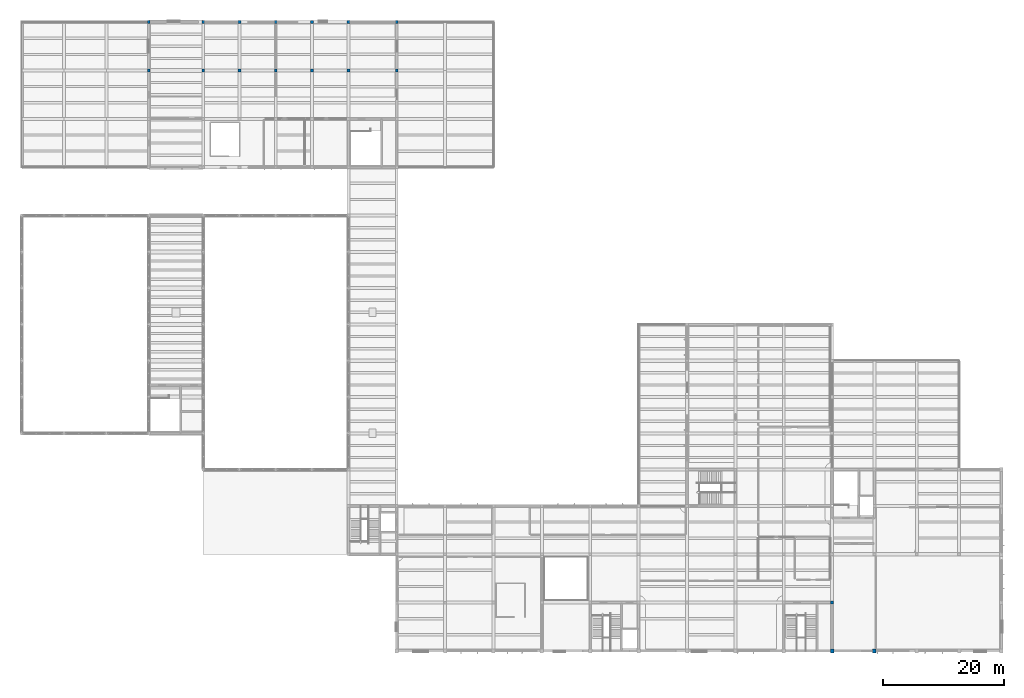
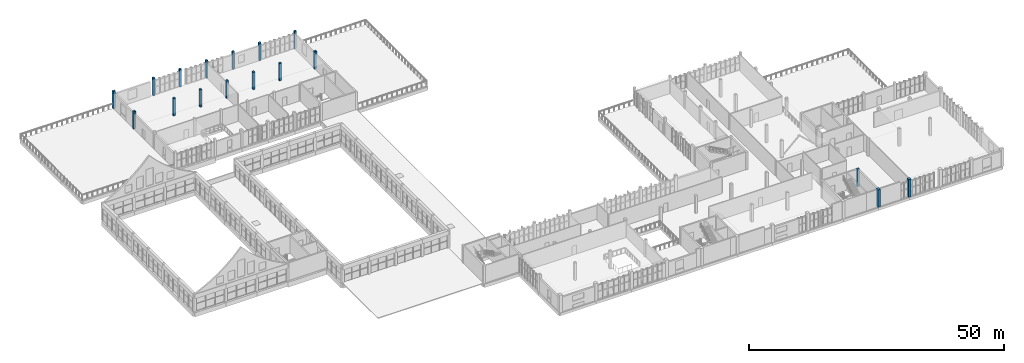
# One storey, part 2 of 70: 17 columns.
"""IFC4 building model written with IfcOpenShell, lengths in metres."""

from ifc_helpers import new_model, si_unit, direction, frame, origin, origin_2d, place, context, subcontext, project, spatial, rectangle, extrude, material, material_profile, profile_set, type_object, element, save


model = new_model("IFC4")

# Units and contexts
model_context = context("Model", 3, precision=1e-05, world=origin(), true_north=direction((0.0, 1.0)))
body_context = subcontext(model_context, "Body", "Model", "MODEL_VIEW")
ifc_project = project(units=[si_unit("LENGTHUNIT", "METRE"), si_unit("AREAUNIT", "SQUARE_METRE"), si_unit("VOLUMEUNIT", "CUBIC_METRE"), si_unit("PLANEANGLEUNIT", "RADIAN"), si_unit("MASSUNIT", "GRAM", prefix="KILO")], contexts=[model_context])

# Site, building, storey
site_placement = place(None, origin())
site = spatial("IfcSite", under=ifc_project, at=site_placement, CompositionType="ELEMENT")
building_placement = place(site_placement, origin())
building = spatial("IfcBuilding", under=site, at=building_placement, Name="Solvane Community Centre", CompositionType="ELEMENT")
storey_placement = place(building_placement, frame((0.0, 0.0, 9.60009765625)))
storey = spatial("IfcBuildingStorey", under=building, at=storey_placement, Name="L02", CompositionType="ELEMENT", Elevation=9.60009765625)

# Columns
ifc_material_1 = material(Name="Precast concrete C35/45", Category="concrete")
ifc_material_profile_1 = material_profile(ifc_material_1, rectangle(XDim=0.580078125, YDim=0.679931640625, at=origin_2d()), Name="RC 580x680")
ifc_profile_set_1 = profile_set([ifc_material_profile_1], Name="Precast concrete C35/45")
column_type_1 = type_object("IfcColumnType", Name="Art Deco Corner Pilaster 580x680", PredefinedType="PILASTER", material=ifc_profile_set_1)
for number, where, z_axis, x_axis, name in (
    (1, (140.0, 6.0, 0.0), (0.0, 0.0, 1.0), (1.0, 0.0, 0.0), "Column COL-L02-20-A"),
    (2, (147.0, 6.0, 0.0), (0.0, 0.0, 1.0), (1.0, 0.0, 0.0), "Column COL-L02-21-A"),
):
    element("IfcColumn", number, at=place(storey_placement, frame(where, z_axis=z_axis, x_axis=x_axis)), inside=storey, type_object=column_type_1, Name=name, PredefinedType="PILASTER", context=body_context, shape_type="SweptSolid", body=[
        extrude(rectangle(XDim=0.580078125, YDim=0.679931640625, at=origin_2d()), origin(), (0.0, 0.0, 1.0), 4.199951171875),
    ])
ifc_material_2 = material(Name="Glulam GL32h", Category="wood")
ifc_material_profile_2 = material_profile(ifc_material_2, rectangle(XDim=0.47998046875, YDim=0.47998046875, at=origin_2d()), Name="GL32h 480x480")
ifc_profile_set_2 = profile_set([ifc_material_profile_2], Name="Glulam GL32h")
column_type_2 = type_object("IfcColumnType", Name="Glulam Heavy Column 480x480", PredefinedType="COLUMN", material=ifc_profile_set_2)
column_placement = place(storey_placement, frame((140.0, 14.0, 0.0), z_axis=(0.0, 0.0, 1.0), x_axis=(1.0, 0.0, 0.0)))
element("IfcColumn", 3, at=column_placement, inside=storey, type_object=column_type_2, Name="Column COL-L02-20-B", PredefinedType="COLUMN", context=body_context, shape_type="SweptSolid", body=[
    extrude(rectangle(XDim=0.47998046875, YDim=0.47998046875, at=origin_2d()), origin(), (0.0, 0.0, 1.0), 4.199951171875),
])
ifc_material_profile_3 = material_profile(ifc_material_2, rectangle(XDim=0.4599609375, YDim=0.4599609375, at=origin_2d()), Name="GL32h 460x460")
ifc_profile_set_3 = profile_set([ifc_material_profile_3], Name="Glulam GL32h")
column_type_3 = type_object("IfcColumnType", Name="Glulam Mid Column 460x460", PredefinedType="COLUMN", material=ifc_profile_set_3)
for number, where, z_axis, x_axis, name in (
    (4, (27.0, 102.0, 0.0), (0.0, 0.0, 1.0), (1.0, 0.0, 0.0), "Column COL-L02-5-Q"),
    (5, (27.0, 110.0, 0.0), (0.0, 0.0, 1.0), (1.0, 0.0, 0.0), "Column COL-L02-5-R"),
    (6, (36.0, 102.0, 0.0), (0.0, 0.0, 1.0), (1.0, 0.0, 0.0), "Column COL-L02-6-Q"),
    (7, (36.0, 110.0, 0.0), (0.0, 0.0, 1.0), (1.0, 0.0, 0.0), "Column COL-L02-6-R"),
    (8, (42.0, 102.0, 0.0), (0.0, 0.0, 1.0), (1.0, 0.0, 0.0), "Column COL-L02-7-Q"),
    (9, (42.0, 110.0, 0.0), (0.0, 0.0, 1.0), (1.0, 0.0, 0.0), "Column COL-L02-7-R"),
    (10, (48.0, 102.0, 0.0), (0.0, 0.0, 1.0), (1.0, 0.0, 0.0), "Column COL-L02-8-Q"),
    (11, (48.0, 110.0, 0.0), (0.0, 0.0, 1.0), (1.0, 0.0, 0.0), "Column COL-L02-8-R"),
    (12, (54.0, 102.0, 0.0), (0.0, 0.0, 1.0), (1.0, 0.0, 0.0), "Column COL-L02-9-Q"),
    (13, (54.0, 110.0, 0.0), (0.0, 0.0, 1.0), (1.0, 0.0, 0.0), "Column COL-L02-9-R"),
    (14, (60.0, 102.0, 0.0), (0.0, 0.0, 1.0), (1.0, 0.0, 0.0), "Column COL-L02-10-Q"),
    (15, (60.0, 110.0, 0.0), (0.0, 0.0, 1.0), (1.0, 0.0, 0.0), "Column COL-L02-10-R"),
    (16, (68.0, 102.0, 0.0), (0.0, 0.0, 1.0), (1.0, 0.0, 0.0), "Column COL-L02-11-Q"),
    (17, (68.0, 110.0, 0.0), (0.0, 0.0, 1.0), (1.0, 0.0, 0.0), "Column COL-L02-11-R"),
):
    element("IfcColumn", number, at=place(storey_placement, frame(where, z_axis=z_axis, x_axis=x_axis)), inside=storey, type_object=column_type_3, Name=name, PredefinedType="COLUMN", context=body_context, shape_type="SweptSolid", body=[
        extrude(rectangle(XDim=0.4599609375, YDim=0.4599609375, at=origin_2d()), origin(), (0.0, 0.0, 1.0), 4.199951171875),
    ])

save(model, "model.ifc")
